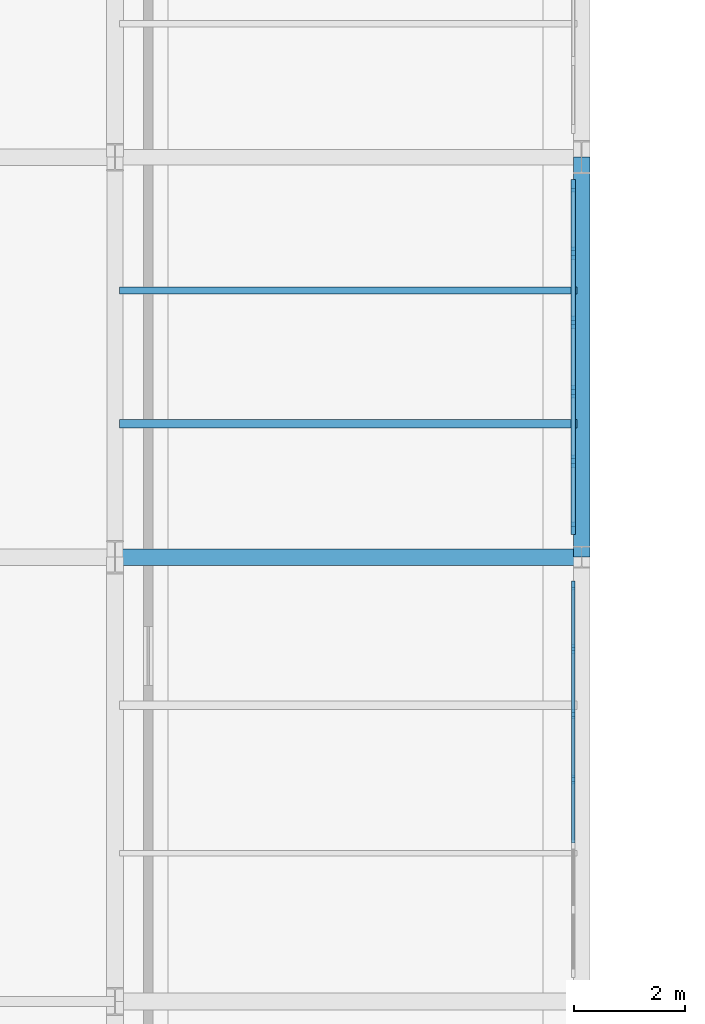
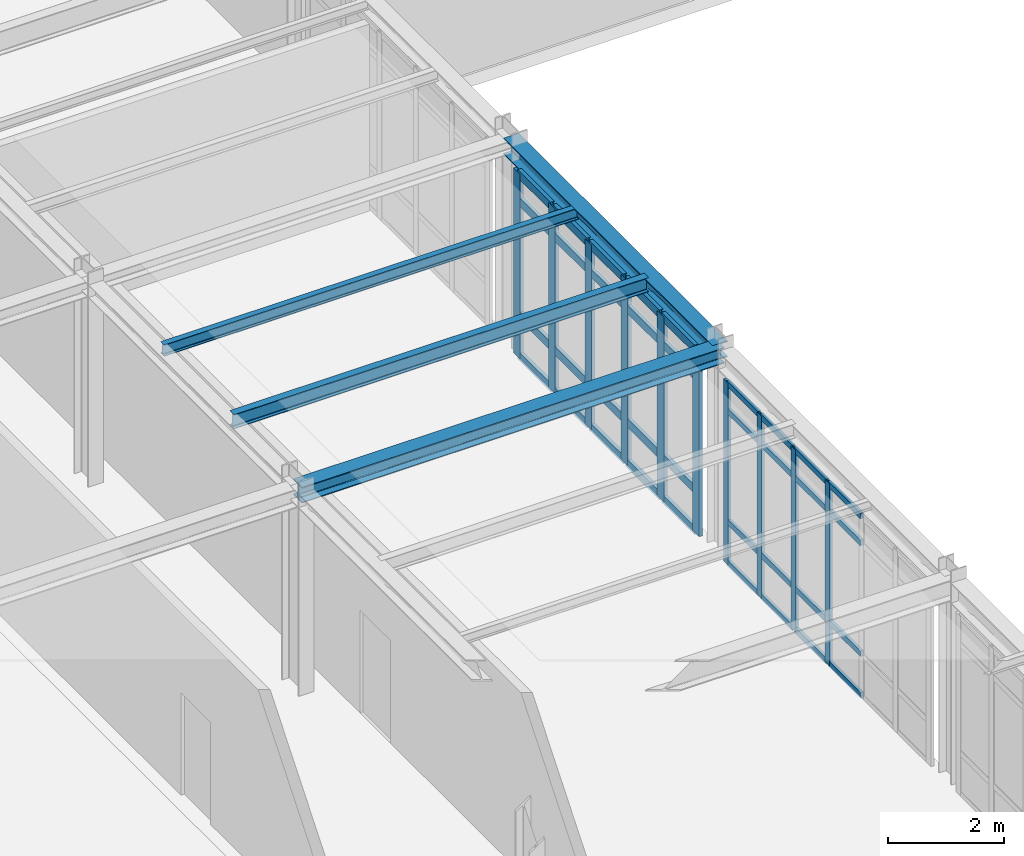
# One storey, part 39 of 101: 46 members, 4 beams, 2 elements without a shape of their own.
"""IFC4 building model written with IfcOpenShell, lengths in metres."""

import ifcopenshell
import ifcopenshell.guid

model = None  # the IFC model being written
_history = None  # IfcOwnerHistory: only IFC2X3 demands one
_inside = {}  # id of a spatial element -> (the spatial element, [elements in it])
_under = {}  # id of a project, library or spatial element -> (it, [spatial elements below it])
_declared = {}  # id of a project -> (the project, [libraries it declares])
_typed = {}  # id of a type object -> (the type object, [elements of that type])
_made_of = {}  # id of a material, layer set ... -> (it, [elements and type objects made of it])


def new_model(schema):
    """Start an empty IFC model of exactly this schema.

    Asked for "IFC4X3", IfcOpenShell would pick the latest addendum, in which some entities
    have other attributes; the version numbers below select the first issue.
    IFC2X3 requires an IfcOwnerHistory on every rooted entity: one is made here for all.
    """
    global model, _history
    if schema == "IFC4X3":
        model = ifcopenshell.file(schema_version=(4, 3, 0, 0))
    else:
        model = ifcopenshell.file(schema=schema)
    _inside.clear()
    _under.clear()
    _declared.clear()
    _typed.clear()
    _made_of.clear()
    _history = None
    if model.schema == "IFC2X3":
        org = make("IfcOrganization", Name="unknown")
        user = make(
            "IfcPersonAndOrganization",
            ThePerson=make("IfcPerson", FamilyName="unknown"),
            TheOrganization=org,
        )
        app = make(
            "IfcApplication",
            ApplicationDeveloper=org,
            Version="unknown",
            ApplicationFullName="unknown",
            ApplicationIdentifier="unknown",
        )
        _history = make(
            "IfcOwnerHistory",
            OwningUser=user,
            OwningApplication=app,
            ChangeAction="ADDED",
            CreationDate=0,
        )
    return model


def make(cls, **values):
    """One entity of the class cls with the attributes given. An attribute that is None is left unset."""
    return model.create_entity(
        cls, **{name: value for name, value in values.items() if value is not None}
    )


def rooted(cls, **values):
    """An entity with a GlobalId (a new one), such as an element, a storey or a relation."""
    return make(cls, GlobalId=ifcopenshell.guid.new(), OwnerHistory=_history, **values)


def si_unit(unit_type, name, prefix=None):
    """IfcSIUnit, for example si_unit("LENGTHUNIT", "METRE", prefix="MILLI")."""
    return make("IfcSIUnit", UnitType=unit_type, Prefix=prefix, Name=name)


def derived_unit(unit_type, elements):
    """IfcDerivedUnit: a product of units, each with its exponent."""
    return make(
        "IfcDerivedUnit",
        Elements=[
            make("IfcDerivedUnitElement", Unit=unit, Exponent=power)
            for unit, power in elements
        ],
        UnitType=unit_type,
    )


def assignment(units):
    """IfcUnitAssignment: the units of a project."""
    return None if units is None else make("IfcUnitAssignment", Units=units)


def point(xyz):
    """IfcCartesianPoint."""
    return None if xyz is None else make("IfcCartesianPoint", Coordinates=xyz)


def direction(xyz):
    """IfcDirection."""
    return None if xyz is None else make("IfcDirection", DirectionRatios=xyz)


def frame(location, z_axis=None, x_axis=None):
    """IfcAxis2Placement3D, a coordinate frame: its origin and axes. An axis left out is left unset."""
    return make(
        "IfcAxis2Placement3D",
        Location=point(location),
        Axis=direction(z_axis),
        RefDirection=direction(x_axis),
    )


def frame_2d(location, x_axis=None):
    """IfcAxis2Placement2D, a coordinate frame in the plane: its origin and x axis."""
    return make(
        "IfcAxis2Placement2D", Location=point(location), RefDirection=direction(x_axis)
    )


def origin():
    """The frame at (0, 0, 0) with its axes left unset."""
    return frame((0.0, 0.0, 0.0))


def origin_2d():
    """The frame at (0, 0) in the plane with its x axis left unset."""
    return frame_2d((0.0, 0.0))


def place(relative_to, where):
    """IfcLocalPlacement: puts the frame where relative to a parent placement (None: the world)."""
    return make(
        "IfcLocalPlacement", PlacementRelTo=relative_to, RelativePlacement=where
    )


def context(
    kind, dimensions, precision=None, world=None, true_north=None, identifier=None
):
    """IfcGeometricRepresentationContext, for example the 3D "Model" context."""
    return make(
        "IfcGeometricRepresentationContext",
        ContextIdentifier=identifier,
        ContextType=kind,
        CoordinateSpaceDimension=dimensions,
        Precision=precision,
        WorldCoordinateSystem=world,
        TrueNorth=true_north,
    )


def subcontext(parent, identifier, kind, view, scale=None):
    """IfcGeometricRepresentationSubContext, for example "Body" below "Model"."""
    return make(
        "IfcGeometricRepresentationSubContext",
        ContextIdentifier=identifier,
        ContextType=kind,
        ParentContext=parent,
        TargetScale=scale,
        TargetView=view,
    )


def project(units=None, contexts=None):
    """IfcProject with its units and contexts."""
    return rooted(
        "IfcProject",
        Name="project",
        RepresentationContexts=contexts,
        UnitsInContext=assignment(units),
    )


def spatial(cls, under=None, at=None, **own):
    """A site, building, storey or space (cls), placed at a placement, below another one or the project."""
    s = rooted(cls, ObjectPlacement=at, **own)
    if under is not None:
        _under.setdefault(under.id(), (under, []))[1].append(s)
    return s


def profile(cls, at=None, kind="AREA", **sizes):
    """A parametric profile (cls). Its sizes go by their IFC names, for example OverallWidth=200.0."""
    return make(cls, ProfileType=kind, Position=at, **sizes)


def rectangle(**sizes):
    """IfcRectangleProfileDef."""
    return profile("IfcRectangleProfileDef", **sizes)


def i_section(**sizes):
    """IfcIShapeProfileDef."""
    return profile("IfcIShapeProfileDef", **sizes)


def extrude(swept, where, along, depth):
    """IfcExtrudedAreaSolid: the profile swept, set in the frame where, extruded along a direction by depth."""
    return make(
        "IfcExtrudedAreaSolid",
        SweptArea=swept,
        Position=where,
        ExtrudedDirection=direction(along),
        Depth=depth,
    )


def shape(context_of_items, identifier, shape_type, items):
    """IfcShapeRepresentation: the items that make up one representation, for example the "Body"."""
    return make(
        "IfcShapeRepresentation",
        ContextOfItems=context_of_items,
        RepresentationIdentifier=identifier,
        RepresentationType=shape_type,
        Items=items,
    )


def material(Name=None, Category=None):
    """IfcMaterial."""
    return make("IfcMaterial", Name=Name, Category=Category)


def layer(
    of_material, thickness, ventilated=None, Name=None, Category=None, Priority=None
):
    """IfcMaterialLayer: one layer of a wall or slab, of a material (None: an air gap)."""
    return make(
        "IfcMaterialLayer",
        Material=of_material,
        LayerThickness=thickness,
        IsVentilated=ventilated,
        Name=Name,
        Category=Category,
        Priority=Priority,
    )


def layer_set(layers, Name=None):
    """IfcMaterialLayerSet."""
    return make("IfcMaterialLayerSet", MaterialLayers=layers, LayerSetName=Name)


def material_profile(
    of_material, cross_section, Name=None, Category=None, Priority=None
):
    """IfcMaterialProfile: a cross section and its material."""
    return make(
        "IfcMaterialProfile",
        Name=Name,
        Material=of_material,
        Profile=cross_section,
        Priority=Priority,
        Category=Category,
    )


def profile_set(profiles, Name=None, composite=None):
    """IfcMaterialProfileSet."""
    return make(
        "IfcMaterialProfileSet",
        Name=Name,
        MaterialProfiles=profiles,
        CompositeProfile=composite,
    )


def made_of(thing, what):
    """Note that an element or type object is made of a material, layer set ...; save() writes the relation."""
    if what is not None:
        _made_of.setdefault(what.id(), (what, []))[1].append(thing)
    return thing


def type_object(cls, material=None, **own):
    """A type object (cls), such as IfcWallType, which elements share."""
    return made_of(rooted(cls, **own), material)


def element(
    cls,
    number,
    at=None,
    inside=None,
    cuts=None,
    type_object=None,
    material=None,
    context=None,
    identifier="Body",
    shape_type=None,
    held_by="IfcProductDefinitionShape",
    body=None,
    shapes=None,
    **own,
):
    """One element of the class cls, such as IfcWall. Its Tag is "e" and its number.

    at: its placement. inside: the storey or other place that contains it. cuts: it is an
    opening in that element (IfcRelVoidsElement). A single representation is given by context,
    identifier, shape_type and body (its items); several are given by shapes. held_by: the class
    of the entity that holds the representations. save() writes the other relations.
    """
    e = rooted(cls, Tag="e%d" % number, ObjectPlacement=at, **own)
    if body is not None:
        shapes = [shape(context, identifier, shape_type, body)]
    if shapes is not None:
        e.Representation = make(held_by, Representations=shapes)
    if inside is not None:
        _inside.setdefault(inside.id(), (inside, []))[1].append(e)
    if cuts is not None:
        rooted(
            "IfcRelVoidsElement", RelatingBuildingElement=cuts, RelatedOpeningElement=e
        )
    if type_object is not None:
        _typed.setdefault(type_object.id(), (type_object, []))[1].append(e)
    return made_of(e, material)


def aggregate(whole, parts):
    """IfcRelAggregates: a whole, such as a stair, and the parts it consists of."""
    return rooted("IfcRelAggregates", RelatingObject=whole, RelatedObjects=parts)


def save(model, path):
    """Write the relations noted so far, then the file.

    IfcRelAggregates (storeys below a building ...), IfcRelContainedInSpatialStructure (elements
    in a storey), IfcRelDefinesByType, IfcRelAssociatesMaterial and IfcRelDeclares: one each for
    every whole, place, type object, material and project.
    """
    for whole, parts in _under.values():
        aggregate(whole, parts)
    for where, things in _inside.values():
        rooted(
            "IfcRelContainedInSpatialStructure",
            RelatedElements=things,
            RelatingStructure=where,
        )
    for kind, things in _typed.values():
        rooted("IfcRelDefinesByType", RelatedObjects=things, RelatingType=kind)
    for what, things in _made_of.values():
        rooted("IfcRelAssociatesMaterial", RelatedObjects=things, RelatingMaterial=what)
    for by, libraries in _declared.values():
        rooted("IfcRelDeclares", RelatingContext=by, RelatedDefinitions=libraries)
    model.write(path)


model = new_model("IFC4")

# Units and contexts
model_context = context("Model", 3, precision=1e-05, world=origin(), true_north=direction((0.0, 1.0)))
body_context = subcontext(model_context, "Body", "Model", "MODEL_VIEW")
ifc_project = project(units=[si_unit("LENGTHUNIT", "METRE"), si_unit("AREAUNIT", "SQUARE_METRE"), si_unit("VOLUMEUNIT", "CUBIC_METRE"), si_unit("PLANEANGLEUNIT", "RADIAN"), si_unit("MASSUNIT", "GRAM", prefix="KILO"), derived_unit("THERMALTRANSMITTANCEUNIT", [(si_unit("POWERUNIT", "WATT"), 1), (si_unit("AREAUNIT", "SQUARE_METRE"), -1), (si_unit("THERMODYNAMICTEMPERATUREUNIT", "KELVIN"), -1)])], contexts=[model_context])

# Site, building, storey
site_placement = place(None, origin())
site = spatial("IfcSite", under=ifc_project, at=site_placement, CompositionType="ELEMENT")
building_placement = place(site_placement, origin())
building = spatial("IfcBuilding", under=site, at=building_placement, Name="Yasenodar Specialist Clinic", CompositionType="ELEMENT")
storey_placement = place(building_placement, origin())
storey = spatial("IfcBuildingStorey", under=building, at=storey_placement, Name="L00", CompositionType="ELEMENT", Elevation=0.0)

# Beams
ifc_material_1 = material(Name="Steel S355", Category="steel")
ifc_material_profile_1 = material_profile(ifc_material_1, i_section(OverallWidth=0.300048828125, OverallDepth=0.330078125, WebThickness=0.009521484375, FlangeThickness=0.0166015625, FilletRadius=0.027099609375, at=origin_2d()), Name="HEA 340")
ifc_profile_set_1 = profile_set([ifc_material_profile_1], Name="Steel S355")
beam_type_1 = type_object("IfcBeamType", Name="BM-HEA340", PredefinedType="BEAM", material=ifc_profile_set_1)
beam_1_placement = place(storey_placement, frame((8.39990234375, 82.800048828125, 4.0849609375), z_axis=(1.0, 0.0, 0.0), x_axis=(0.0, 1.0, 0.0)))
element("IfcBeam", 1, at=beam_1_placement, inside=storey, type_object=beam_type_1, Name="L00 Primary E-W Girder", PredefinedType="BEAM", context=body_context, shape_type="SweptSolid", body=[
    extrude(i_section(OverallWidth=0.300048828125, OverallDepth=0.330078125, WebThickness=0.009521484375, FlangeThickness=0.0166015625, FilletRadius=0.027099609375, at=origin_2d()), origin(), (0.0, 0.0, 1.0), 8.400146484375),
])
ifc_material_profile_2 = material_profile(ifc_material_1, i_section(OverallWidth=0.300048828125, OverallDepth=0.340087890625, WebThickness=0.011962890625, FlangeThickness=0.021484375, FilletRadius=0.027099609375, at=origin_2d()), Name="HEB 340")
ifc_profile_set_2 = profile_set([ifc_material_profile_2], Name="Steel S355")
beam_type_2 = type_object("IfcBeamType", Name="BM-HEB340", PredefinedType="BEAM", material=ifc_profile_set_2)
beam_2_placement = place(storey_placement, frame((16.800048828125, 82.800048828125, 4.080078125), z_axis=(0.0, 1.0, 0.0), x_axis=(-1.0, 0.0, 0.0)))
element("IfcBeam", 2, at=beam_2_placement, inside=storey, type_object=beam_type_2, Name="L00 Primary N-S Girder", PredefinedType="BEAM", context=body_context, shape_type="SweptSolid", body=[
    extrude(i_section(OverallWidth=0.300048828125, OverallDepth=0.340087890625, WebThickness=0.011962890625, FlangeThickness=0.021484375, FilletRadius=0.027099609375, at=origin_2d()), origin(), (0.0, 0.0, 1.0), 7.199951171875),
])

# Curtain wall, members
ifc_material_2 = material(Name="Bronze Anodized Aluminium and Triple Low-E Glass", Category="aluminium")
ifc_layer = layer(ifc_material_2, 0.202880859375)
ifc_layer_set = layer_set([ifc_layer], Name="Bronze Anodized Aluminium and Triple Low-E Glass")
curtain_wall_type = type_object("IfcCurtainWallType", Name="CW-SYS-04", PredefinedType="USERDEFINED", material=ifc_layer_set)
curtain_wall_1_placement = place(storey_placement, origin())
curtain_wall_1 = element("IfcCurtainWall", 3, at=curtain_wall_1_placement, inside=storey, type_object=curtain_wall_type, Name="L00 Unitised Curtain Wall 116", ObjectType="UNITISED CURTAIN WALL", PredefinedType="USERDEFINED")
ifc_material_3 = material(Name="Bronze Anodized Aluminium", Category="aluminium")
ifc_material_profile_3 = material_profile(ifc_material_3, rectangle(XDim=0.06005859375, YDim=0.159912109375, at=origin_2d()), Name="CW-MULL 60x160")
ifc_profile_set_3 = profile_set([ifc_material_profile_3], Name="Bronze Anodized Aluminium")
member_type_1 = type_object("IfcMemberType", Name="CW-MULL-160", PredefinedType="MULLION", material=ifc_profile_set_3)
member_1_placement = place(storey_placement, frame((16.64990234375, 82.2900390625, 0.0), z_axis=(0.0, 0.0, 1.0), x_axis=(1.0, 0.0, 0.0)))
member_1 = element("IfcMember", 4, at=member_1_placement, type_object=member_type_1, Name="CW-04 mullion 1", PredefinedType="MULLION", context=body_context, shape_type="SweptSolid", body=[
    extrude(rectangle(XDim=0.06005859375, YDim=0.159912109375, at=origin_2d()), origin(), (0.0, 0.0, 1.0), 3.827880859375),
])
member_2_placement = place(storey_placement, frame((16.64990234375, 81.146728515625, 0.0), z_axis=(0.0, 0.0, 1.0), x_axis=(1.0, 0.0, 0.0)))
member_2 = element("IfcMember", 5, at=member_2_placement, type_object=member_type_1, Name="CW-04 mullion 2", PredefinedType="MULLION", context=body_context, shape_type="SweptSolid", body=[
    extrude(rectangle(XDim=0.06005859375, YDim=0.159912109375, at=origin_2d()), origin(), (0.0, 0.0, 1.0), 3.827880859375),
])
member_3_placement = place(storey_placement, frame((16.64990234375, 79.973388671875, 0.0), z_axis=(0.0, 0.0, 1.0), x_axis=(1.0, 0.0, 0.0)))
member_3 = element("IfcMember", 6, at=member_3_placement, type_object=member_type_1, Name="CW-04 mullion 3", PredefinedType="MULLION", context=body_context, shape_type="SweptSolid", body=[
    extrude(rectangle(XDim=0.06005859375, YDim=0.159912109375, at=origin_2d()), origin(), (0.0, 0.0, 1.0), 3.827880859375),
])
member_4_placement = place(storey_placement, frame((16.64990234375, 78.800048828125, 0.0), z_axis=(0.0, 0.0, 1.0), x_axis=(1.0, 0.0, 0.0)))
member_4 = element("IfcMember", 7, at=member_4_placement, type_object=member_type_1, Name="CW-04 mullion 4", PredefinedType="MULLION", context=body_context, shape_type="SweptSolid", body=[
    extrude(rectangle(XDim=0.06005859375, YDim=0.159912109375, at=origin_2d()), origin(), (0.0, 0.0, 1.0), 3.827880859375),
])

curtain_wall_2_placement = place(storey_placement, origin())
curtain_wall_2 = element("IfcCurtainWall", 8, at=curtain_wall_2_placement, inside=storey, type_object=curtain_wall_type, Name="L00 Unitised Curtain Wall 115", ObjectType="UNITISED CURTAIN WALL", PredefinedType="USERDEFINED")
ifc_material_profile_4 = material_profile(ifc_material_3, rectangle(XDim=0.074951171875, YDim=0.22509765625, at=origin_2d()), Name="CW-MULL 75x225")
ifc_profile_set_4 = profile_set([ifc_material_profile_4], Name="Bronze Anodized Aluminium")
member_type_2 = type_object("IfcMemberType", Name="CW-MULL-225", PredefinedType="MULLION", material=ifc_profile_set_4)
member_5_placement = place(storey_placement, frame((16.64990234375, 89.482421875, 0.0), z_axis=(0.0, 0.0, 1.0), x_axis=(1.0, 0.0, 0.0)))
member_5 = element("IfcMember", 9, at=member_5_placement, type_object=member_type_2, Name="CW-04 mullion 1", PredefinedType="MULLION", context=body_context, shape_type="SweptSolid", body=[
    extrude(rectangle(XDim=0.074951171875, YDim=0.22509765625, at=origin_2d()), origin(), (0.0, 0.0, 1.0), 3.887939453125),
])
member_6_placement = place(storey_placement, frame((16.64990234375, 88.27197265625, 0.0), z_axis=(0.0, 0.0, 1.0), x_axis=(1.0, 0.0, 0.0)))
member_6 = element("IfcMember", 10, at=member_6_placement, type_object=member_type_2, Name="CW-04 mullion 2", PredefinedType="MULLION", context=body_context, shape_type="SweptSolid", body=[
    extrude(rectangle(XDim=0.074951171875, YDim=0.22509765625, at=origin_2d()), origin(), (0.0, 0.0, 1.0), 3.887939453125),
])
member_7_placement = place(storey_placement, frame((16.64990234375, 87.02392578125, 0.0), z_axis=(0.0, 0.0, 1.0), x_axis=(1.0, 0.0, 0.0)))
member_7 = element("IfcMember", 11, at=member_7_placement, type_object=member_type_2, Name="CW-04 mullion 3", PredefinedType="MULLION", context=body_context, shape_type="SweptSolid", body=[
    extrude(rectangle(XDim=0.074951171875, YDim=0.22509765625, at=origin_2d()), origin(), (0.0, 0.0, 1.0), 3.887939453125),
])
member_8_placement = place(storey_placement, frame((16.64990234375, 85.77587890625, 0.0), z_axis=(0.0, 0.0, 1.0), x_axis=(1.0, 0.0, 0.0)))
member_8 = element("IfcMember", 12, at=member_8_placement, type_object=member_type_2, Name="CW-04 mullion 4", PredefinedType="MULLION", context=body_context, shape_type="SweptSolid", body=[
    extrude(rectangle(XDim=0.074951171875, YDim=0.22509765625, at=origin_2d()), origin(), (0.0, 0.0, 1.0), 3.887939453125),
])
member_9_placement = place(storey_placement, frame((16.64990234375, 84.528076171875, 0.0), z_axis=(0.0, 0.0, 1.0), x_axis=(1.0, 0.0, 0.0)))
member_9 = element("IfcMember", 13, at=member_9_placement, type_object=member_type_2, Name="CW-04 mullion 5", PredefinedType="MULLION", context=body_context, shape_type="SweptSolid", body=[
    extrude(rectangle(XDim=0.074951171875, YDim=0.22509765625, at=origin_2d()), origin(), (0.0, 0.0, 1.0), 3.887939453125),
])
member_10_placement = place(storey_placement, frame((16.64990234375, 83.3173828125, 0.0), z_axis=(0.0, 0.0, 1.0), x_axis=(1.0, 0.0, 0.0)))
member_10 = element("IfcMember", 14, at=member_10_placement, type_object=member_type_2, Name="CW-04 mullion 6", PredefinedType="MULLION", context=body_context, shape_type="SweptSolid", body=[
    extrude(rectangle(XDim=0.074951171875, YDim=0.22509765625, at=origin_2d()), origin(), (0.0, 0.0, 1.0), 3.887939453125),
])

# Member
ifc_material_profile_5 = material_profile(ifc_material_3, rectangle(XDim=0.06005859375, YDim=0.1201171875, at=origin_2d()), Name="CW-TRAN 60x120")
ifc_profile_set_5 = profile_set([ifc_material_profile_5], Name="Bronze Anodized Aluminium")
member_type_3 = type_object("IfcMemberType", Name="CW-TRAN-120", PredefinedType="USERDEFINED", material=ifc_profile_set_5)
member_11_placement = place(storey_placement, frame((16.64990234375, 82.260009765625, 0.030029296875), z_axis=(0.0, -1.0, 0.0), x_axis=(1.0, 0.0, 0.0)))
member_11 = element("IfcMember", 15, at=member_11_placement, type_object=member_type_3, Name="CW-04 transom 1.1", ObjectType="TRANSOM", PredefinedType="USERDEFINED", context=body_context, shape_type="SweptSolid", body=[
    extrude(rectangle(XDim=0.06005859375, YDim=0.1201171875, at=origin_2d()), origin(), (0.0, 0.0, 1.0), 1.083251953125),
])

member_12_placement = place(storey_placement, frame((16.64990234375, 82.260009765625, 0.89990234375), z_axis=(0.0, -1.0, 0.0), x_axis=(1.0, 0.0, 0.0)))
member_12 = element("IfcMember", 16, at=member_12_placement, type_object=member_type_3, Name="CW-04 transom 1.2", ObjectType="TRANSOM", PredefinedType="USERDEFINED", context=body_context, shape_type="SweptSolid", body=[
    extrude(rectangle(XDim=0.06005859375, YDim=0.1201171875, at=origin_2d()), origin(), (0.0, 0.0, 1.0), 1.083251953125),
])

member_13_placement = place(storey_placement, frame((16.64990234375, 82.260009765625, 3.22802734375), z_axis=(0.0, -1.0, 0.0), x_axis=(1.0, 0.0, 0.0)))
member_13 = element("IfcMember", 17, at=member_13_placement, type_object=member_type_3, Name="CW-04 transom 1.3", ObjectType="TRANSOM", PredefinedType="USERDEFINED", context=body_context, shape_type="SweptSolid", body=[
    extrude(rectangle(XDim=0.06005859375, YDim=0.1201171875, at=origin_2d()), origin(), (0.0, 0.0, 1.0), 1.083251953125),
])

member_14_placement = place(storey_placement, frame((16.64990234375, 82.260009765625, 3.798095703125), z_axis=(0.0, -1.0, 0.0), x_axis=(1.0, 0.0, 0.0)))
member_14 = element("IfcMember", 18, at=member_14_placement, type_object=member_type_3, Name="CW-04 transom 1.4", ObjectType="TRANSOM", PredefinedType="USERDEFINED", context=body_context, shape_type="SweptSolid", body=[
    extrude(rectangle(XDim=0.06005859375, YDim=0.1201171875, at=origin_2d()), origin(), (0.0, 0.0, 1.0), 1.083251953125),
])

member_15_placement = place(storey_placement, frame((16.64990234375, 81.11669921875, 0.030029296875), z_axis=(0.0, -1.0, 0.0), x_axis=(1.0, 0.0, 0.0)))
member_15 = element("IfcMember", 19, at=member_15_placement, type_object=member_type_3, Name="CW-04 transom 2.1", ObjectType="TRANSOM", PredefinedType="USERDEFINED", context=body_context, shape_type="SweptSolid", body=[
    extrude(rectangle(XDim=0.06005859375, YDim=0.1201171875, at=origin_2d()), origin(), (0.0, 0.0, 1.0), 1.11328125),
])

member_16_placement = place(storey_placement, frame((16.64990234375, 81.11669921875, 0.89990234375), z_axis=(0.0, -1.0, 0.0), x_axis=(1.0, 0.0, 0.0)))
member_16 = element("IfcMember", 20, at=member_16_placement, type_object=member_type_3, Name="CW-04 transom 2.2", ObjectType="TRANSOM", PredefinedType="USERDEFINED", context=body_context, shape_type="SweptSolid", body=[
    extrude(rectangle(XDim=0.06005859375, YDim=0.1201171875, at=origin_2d()), origin(), (0.0, 0.0, 1.0), 1.11328125),
])

member_17_placement = place(storey_placement, frame((16.64990234375, 81.11669921875, 3.22802734375), z_axis=(0.0, -1.0, 0.0), x_axis=(1.0, 0.0, 0.0)))
member_17 = element("IfcMember", 21, at=member_17_placement, type_object=member_type_3, Name="CW-04 transom 2.3", ObjectType="TRANSOM", PredefinedType="USERDEFINED", context=body_context, shape_type="SweptSolid", body=[
    extrude(rectangle(XDim=0.06005859375, YDim=0.1201171875, at=origin_2d()), origin(), (0.0, 0.0, 1.0), 1.11328125),
])

member_18_placement = place(storey_placement, frame((16.64990234375, 81.11669921875, 3.798095703125), z_axis=(0.0, -1.0, 0.0), x_axis=(1.0, 0.0, 0.0)))
member_18 = element("IfcMember", 22, at=member_18_placement, type_object=member_type_3, Name="CW-04 transom 2.4", ObjectType="TRANSOM", PredefinedType="USERDEFINED", context=body_context, shape_type="SweptSolid", body=[
    extrude(rectangle(XDim=0.06005859375, YDim=0.1201171875, at=origin_2d()), origin(), (0.0, 0.0, 1.0), 1.11328125),
])

member_19_placement = place(storey_placement, frame((16.64990234375, 79.943359375, 0.030029296875), z_axis=(0.0, -1.0, 0.0), x_axis=(1.0, 0.0, 0.0)))
member_19 = element("IfcMember", 23, at=member_19_placement, type_object=member_type_3, Name="CW-04 transom 3.1", ObjectType="TRANSOM", PredefinedType="USERDEFINED", context=body_context, shape_type="SweptSolid", body=[
    extrude(rectangle(XDim=0.06005859375, YDim=0.1201171875, at=origin_2d()), origin(), (0.0, 0.0, 1.0), 1.11328125),
])

member_20_placement = place(storey_placement, frame((16.64990234375, 79.943359375, 0.89990234375), z_axis=(0.0, -1.0, 0.0), x_axis=(1.0, 0.0, 0.0)))
member_20 = element("IfcMember", 24, at=member_20_placement, type_object=member_type_3, Name="CW-04 transom 3.2", ObjectType="TRANSOM", PredefinedType="USERDEFINED", context=body_context, shape_type="SweptSolid", body=[
    extrude(rectangle(XDim=0.06005859375, YDim=0.1201171875, at=origin_2d()), origin(), (0.0, 0.0, 1.0), 1.11328125),
])

member_21_placement = place(storey_placement, frame((16.64990234375, 79.943359375, 3.22802734375), z_axis=(0.0, -1.0, 0.0), x_axis=(1.0, 0.0, 0.0)))
member_21 = element("IfcMember", 25, at=member_21_placement, type_object=member_type_3, Name="CW-04 transom 3.3", ObjectType="TRANSOM", PredefinedType="USERDEFINED", context=body_context, shape_type="SweptSolid", body=[
    extrude(rectangle(XDim=0.06005859375, YDim=0.1201171875, at=origin_2d()), origin(), (0.0, 0.0, 1.0), 1.11328125),
])

member_22_placement = place(storey_placement, frame((16.64990234375, 79.943359375, 3.798095703125), z_axis=(0.0, -1.0, 0.0), x_axis=(1.0, 0.0, 0.0)))
member_22 = element("IfcMember", 26, at=member_22_placement, type_object=member_type_3, Name="CW-04 transom 3.4", ObjectType="TRANSOM", PredefinedType="USERDEFINED", context=body_context, shape_type="SweptSolid", body=[
    extrude(rectangle(XDim=0.06005859375, YDim=0.1201171875, at=origin_2d()), origin(), (0.0, 0.0, 1.0), 1.11328125),
])

member_23_placement = place(storey_placement, frame((16.64990234375, 78.77001953125, 0.030029296875), z_axis=(0.0, -1.0, 0.0), x_axis=(1.0, 0.0, 0.0)))
member_23 = element("IfcMember", 27, at=member_23_placement, type_object=member_type_3, Name="CW-04 transom 4.1", ObjectType="TRANSOM", PredefinedType="USERDEFINED", context=body_context, shape_type="SweptSolid", body=[
    extrude(rectangle(XDim=0.06005859375, YDim=0.1201171875, at=origin_2d()), origin(), (0.0, 0.0, 1.0), 1.11328125),
])

member_24_placement = place(storey_placement, frame((16.64990234375, 78.77001953125, 0.89990234375), z_axis=(0.0, -1.0, 0.0), x_axis=(1.0, 0.0, 0.0)))
member_24 = element("IfcMember", 28, at=member_24_placement, type_object=member_type_3, Name="CW-04 transom 4.2", ObjectType="TRANSOM", PredefinedType="USERDEFINED", context=body_context, shape_type="SweptSolid", body=[
    extrude(rectangle(XDim=0.06005859375, YDim=0.1201171875, at=origin_2d()), origin(), (0.0, 0.0, 1.0), 1.11328125),
])

member_25_placement = place(storey_placement, frame((16.64990234375, 78.77001953125, 3.22802734375), z_axis=(0.0, -1.0, 0.0), x_axis=(1.0, 0.0, 0.0)))
member_25 = element("IfcMember", 29, at=member_25_placement, type_object=member_type_3, Name="CW-04 transom 4.3", ObjectType="TRANSOM", PredefinedType="USERDEFINED", context=body_context, shape_type="SweptSolid", body=[
    extrude(rectangle(XDim=0.06005859375, YDim=0.1201171875, at=origin_2d()), origin(), (0.0, 0.0, 1.0), 1.11328125),
])

member_26_placement = place(storey_placement, frame((16.64990234375, 78.77001953125, 3.798095703125), z_axis=(0.0, -1.0, 0.0), x_axis=(1.0, 0.0, 0.0)))
member_26 = element("IfcMember", 30, at=member_26_placement, type_object=member_type_3, Name="CW-04 transom 4.4", ObjectType="TRANSOM", PredefinedType="USERDEFINED", context=body_context, shape_type="SweptSolid", body=[
    extrude(rectangle(XDim=0.06005859375, YDim=0.1201171875, at=origin_2d()), origin(), (0.0, 0.0, 1.0), 1.11328125),
])

aggregate(curtain_wall_1, [member_1, member_2, member_3, member_4, member_11, member_12, member_13, member_14, member_15, member_16, member_17, member_18, member_19, member_20, member_21, member_22, member_23, member_24, member_25, member_26])

ifc_material_profile_6 = material_profile(ifc_material_3, rectangle(XDim=0.074951171875, YDim=0.175048828125, at=origin_2d()), Name="CW-TRAN 75x175")
ifc_profile_set_6 = profile_set([ifc_material_profile_6], Name="Bronze Anodized Aluminium")
member_type_4 = type_object("IfcMemberType", Name="CW-TRAN-175", PredefinedType="USERDEFINED", material=ifc_profile_set_6)
member_27_placement = place(storey_placement, frame((16.64990234375, 89.445068359375, 0.03759765625), z_axis=(0.0, -1.0, 0.0), x_axis=(1.0, 0.0, 0.0)))
member_27 = element("IfcMember", 31, at=member_27_placement, type_object=member_type_4, Name="CW-04 transom 1.1", ObjectType="TRANSOM", PredefinedType="USERDEFINED", context=body_context, shape_type="SweptSolid", body=[
    extrude(rectangle(XDim=0.074951171875, YDim=0.175048828125, at=origin_2d()), origin(), (0.0, 0.0, 1.0), 1.135498046875),
])

member_28_placement = place(storey_placement, frame((16.64990234375, 89.445068359375, 0.89990234375), z_axis=(0.0, -1.0, 0.0), x_axis=(1.0, 0.0, 0.0)))
member_28 = element("IfcMember", 32, at=member_28_placement, type_object=member_type_4, Name="CW-04 transom 1.2", ObjectType="TRANSOM", PredefinedType="USERDEFINED", context=body_context, shape_type="SweptSolid", body=[
    extrude(rectangle(XDim=0.074951171875, YDim=0.175048828125, at=origin_2d()), origin(), (0.0, 0.0, 1.0), 1.135498046875),
])

member_29_placement = place(storey_placement, frame((16.64990234375, 89.445068359375, 3.2880859375), z_axis=(0.0, -1.0, 0.0), x_axis=(1.0, 0.0, 0.0)))
member_29 = element("IfcMember", 33, at=member_29_placement, type_object=member_type_4, Name="CW-04 transom 1.3", ObjectType="TRANSOM", PredefinedType="USERDEFINED", context=body_context, shape_type="SweptSolid", body=[
    extrude(rectangle(XDim=0.074951171875, YDim=0.175048828125, at=origin_2d()), origin(), (0.0, 0.0, 1.0), 1.135498046875),
])

member_30_placement = place(storey_placement, frame((16.64990234375, 89.445068359375, 3.8505859375), z_axis=(0.0, -1.0, 0.0), x_axis=(1.0, 0.0, 0.0)))
member_30 = element("IfcMember", 34, at=member_30_placement, type_object=member_type_4, Name="CW-04 transom 1.4", ObjectType="TRANSOM", PredefinedType="USERDEFINED", context=body_context, shape_type="SweptSolid", body=[
    extrude(rectangle(XDim=0.074951171875, YDim=0.175048828125, at=origin_2d()), origin(), (0.0, 0.0, 1.0), 1.135498046875),
])

member_31_placement = place(storey_placement, frame((16.64990234375, 88.234619140625, 0.03759765625), z_axis=(0.0, -1.0, 0.0), x_axis=(1.0, 0.0, 0.0)))
member_31 = element("IfcMember", 35, at=member_31_placement, type_object=member_type_4, Name="CW-04 transom 2.1", ObjectType="TRANSOM", PredefinedType="USERDEFINED", context=body_context, shape_type="SweptSolid", body=[
    extrude(rectangle(XDim=0.074951171875, YDim=0.175048828125, at=origin_2d()), origin(), (0.0, 0.0, 1.0), 1.173095703125),
])

member_32_placement = place(storey_placement, frame((16.64990234375, 88.234619140625, 0.89990234375), z_axis=(0.0, -1.0, 0.0), x_axis=(1.0, 0.0, 0.0)))
member_32 = element("IfcMember", 36, at=member_32_placement, type_object=member_type_4, Name="CW-04 transom 2.2", ObjectType="TRANSOM", PredefinedType="USERDEFINED", context=body_context, shape_type="SweptSolid", body=[
    extrude(rectangle(XDim=0.074951171875, YDim=0.175048828125, at=origin_2d()), origin(), (0.0, 0.0, 1.0), 1.173095703125),
])

member_33_placement = place(storey_placement, frame((16.64990234375, 88.234619140625, 3.2880859375), z_axis=(0.0, -1.0, 0.0), x_axis=(1.0, 0.0, 0.0)))
member_33 = element("IfcMember", 37, at=member_33_placement, type_object=member_type_4, Name="CW-04 transom 2.3", ObjectType="TRANSOM", PredefinedType="USERDEFINED", context=body_context, shape_type="SweptSolid", body=[
    extrude(rectangle(XDim=0.074951171875, YDim=0.175048828125, at=origin_2d()), origin(), (0.0, 0.0, 1.0), 1.173095703125),
])

member_34_placement = place(storey_placement, frame((16.64990234375, 88.234619140625, 3.8505859375), z_axis=(0.0, -1.0, 0.0), x_axis=(1.0, 0.0, 0.0)))
member_34 = element("IfcMember", 38, at=member_34_placement, type_object=member_type_4, Name="CW-04 transom 2.4", ObjectType="TRANSOM", PredefinedType="USERDEFINED", context=body_context, shape_type="SweptSolid", body=[
    extrude(rectangle(XDim=0.074951171875, YDim=0.175048828125, at=origin_2d()), origin(), (0.0, 0.0, 1.0), 1.173095703125),
])

member_35_placement = place(storey_placement, frame((16.64990234375, 86.986572265625, 0.03759765625), z_axis=(0.0, -1.0, 0.0), x_axis=(1.0, 0.0, 0.0)))
member_35 = element("IfcMember", 39, at=member_35_placement, type_object=member_type_4, Name="CW-04 transom 3.1", ObjectType="TRANSOM", PredefinedType="USERDEFINED", context=body_context, shape_type="SweptSolid", body=[
    extrude(rectangle(XDim=0.074951171875, YDim=0.175048828125, at=origin_2d()), origin(), (0.0, 0.0, 1.0), 1.173095703125),
])

member_36_placement = place(storey_placement, frame((16.64990234375, 86.986572265625, 0.89990234375), z_axis=(0.0, -1.0, 0.0), x_axis=(1.0, 0.0, 0.0)))
member_36 = element("IfcMember", 40, at=member_36_placement, type_object=member_type_4, Name="CW-04 transom 3.2", ObjectType="TRANSOM", PredefinedType="USERDEFINED", context=body_context, shape_type="SweptSolid", body=[
    extrude(rectangle(XDim=0.074951171875, YDim=0.175048828125, at=origin_2d()), origin(), (0.0, 0.0, 1.0), 1.173095703125),
])

member_37_placement = place(storey_placement, frame((16.64990234375, 86.986572265625, 3.2880859375), z_axis=(0.0, -1.0, 0.0), x_axis=(1.0, 0.0, 0.0)))
member_37 = element("IfcMember", 41, at=member_37_placement, type_object=member_type_4, Name="CW-04 transom 3.3", ObjectType="TRANSOM", PredefinedType="USERDEFINED", context=body_context, shape_type="SweptSolid", body=[
    extrude(rectangle(XDim=0.074951171875, YDim=0.175048828125, at=origin_2d()), origin(), (0.0, 0.0, 1.0), 1.173095703125),
])

member_38_placement = place(storey_placement, frame((16.64990234375, 86.986572265625, 3.8505859375), z_axis=(0.0, -1.0, 0.0), x_axis=(1.0, 0.0, 0.0)))
member_38 = element("IfcMember", 42, at=member_38_placement, type_object=member_type_4, Name="CW-04 transom 3.4", ObjectType="TRANSOM", PredefinedType="USERDEFINED", context=body_context, shape_type="SweptSolid", body=[
    extrude(rectangle(XDim=0.074951171875, YDim=0.175048828125, at=origin_2d()), origin(), (0.0, 0.0, 1.0), 1.173095703125),
])

member_39_placement = place(storey_placement, frame((16.64990234375, 85.738525390625, 0.03759765625), z_axis=(0.0, -1.0, 0.0), x_axis=(1.0, 0.0, 0.0)))
member_39 = element("IfcMember", 43, at=member_39_placement, type_object=member_type_4, Name="CW-04 transom 4.1", ObjectType="TRANSOM", PredefinedType="USERDEFINED", context=body_context, shape_type="SweptSolid", body=[
    extrude(rectangle(XDim=0.074951171875, YDim=0.175048828125, at=origin_2d()), origin(), (0.0, 0.0, 1.0), 1.173095703125),
])

member_40_placement = place(storey_placement, frame((16.64990234375, 85.738525390625, 0.89990234375), z_axis=(0.0, -1.0, 0.0), x_axis=(1.0, 0.0, 0.0)))
member_40 = element("IfcMember", 44, at=member_40_placement, type_object=member_type_4, Name="CW-04 transom 4.2", ObjectType="TRANSOM", PredefinedType="USERDEFINED", context=body_context, shape_type="SweptSolid", body=[
    extrude(rectangle(XDim=0.074951171875, YDim=0.175048828125, at=origin_2d()), origin(), (0.0, 0.0, 1.0), 1.173095703125),
])

member_41_placement = place(storey_placement, frame((16.64990234375, 85.738525390625, 3.2880859375), z_axis=(0.0, -1.0, 0.0), x_axis=(1.0, 0.0, 0.0)))
member_41 = element("IfcMember", 45, at=member_41_placement, type_object=member_type_4, Name="CW-04 transom 4.3", ObjectType="TRANSOM", PredefinedType="USERDEFINED", context=body_context, shape_type="SweptSolid", body=[
    extrude(rectangle(XDim=0.074951171875, YDim=0.175048828125, at=origin_2d()), origin(), (0.0, 0.0, 1.0), 1.173095703125),
])

member_42_placement = place(storey_placement, frame((16.64990234375, 85.738525390625, 3.8505859375), z_axis=(0.0, -1.0, 0.0), x_axis=(1.0, 0.0, 0.0)))
member_42 = element("IfcMember", 46, at=member_42_placement, type_object=member_type_4, Name="CW-04 transom 4.4", ObjectType="TRANSOM", PredefinedType="USERDEFINED", context=body_context, shape_type="SweptSolid", body=[
    extrude(rectangle(XDim=0.074951171875, YDim=0.175048828125, at=origin_2d()), origin(), (0.0, 0.0, 1.0), 1.173095703125),
])

member_43_placement = place(storey_placement, frame((16.64990234375, 84.490478515625, 0.03759765625), z_axis=(0.0, -1.0, 0.0), x_axis=(1.0, 0.0, 0.0)))
member_43 = element("IfcMember", 47, at=member_43_placement, type_object=member_type_4, Name="CW-04 transom 5.1", ObjectType="TRANSOM", PredefinedType="USERDEFINED", context=body_context, shape_type="SweptSolid", body=[
    extrude(rectangle(XDim=0.074951171875, YDim=0.175048828125, at=origin_2d()), origin(), (0.0, 0.0, 1.0), 1.135498046875),
])

member_44_placement = place(storey_placement, frame((16.64990234375, 84.490478515625, 0.89990234375), z_axis=(0.0, -1.0, 0.0), x_axis=(1.0, 0.0, 0.0)))
member_44 = element("IfcMember", 48, at=member_44_placement, type_object=member_type_4, Name="CW-04 transom 5.2", ObjectType="TRANSOM", PredefinedType="USERDEFINED", context=body_context, shape_type="SweptSolid", body=[
    extrude(rectangle(XDim=0.074951171875, YDim=0.175048828125, at=origin_2d()), origin(), (0.0, 0.0, 1.0), 1.135498046875),
])

member_45_placement = place(storey_placement, frame((16.64990234375, 84.490478515625, 3.2880859375), z_axis=(0.0, -1.0, 0.0), x_axis=(1.0, 0.0, 0.0)))
member_45 = element("IfcMember", 49, at=member_45_placement, type_object=member_type_4, Name="CW-04 transom 5.3", ObjectType="TRANSOM", PredefinedType="USERDEFINED", context=body_context, shape_type="SweptSolid", body=[
    extrude(rectangle(XDim=0.074951171875, YDim=0.175048828125, at=origin_2d()), origin(), (0.0, 0.0, 1.0), 1.135498046875),
])

member_46_placement = place(storey_placement, frame((16.64990234375, 84.490478515625, 3.8505859375), z_axis=(0.0, -1.0, 0.0), x_axis=(1.0, 0.0, 0.0)))
member_46 = element("IfcMember", 50, at=member_46_placement, type_object=member_type_4, Name="CW-04 transom 5.4", ObjectType="TRANSOM", PredefinedType="USERDEFINED", context=body_context, shape_type="SweptSolid", body=[
    extrude(rectangle(XDim=0.074951171875, YDim=0.175048828125, at=origin_2d()), origin(), (0.0, 0.0, 1.0), 1.135498046875),
])

aggregate(curtain_wall_2, [member_5, member_6, member_7, member_8, member_9, member_10, member_27, member_28, member_29, member_30, member_31, member_32, member_33, member_34, member_35, member_36, member_37, member_38, member_39, member_40, member_41, member_42, member_43, member_44, member_45, member_46])

# Beams
ifc_material_profile_7 = material_profile(ifc_material_1, i_section(OverallWidth=0.1201171875, OverallDepth=0.239990234375, WebThickness=0.006103515625, FlangeThickness=0.009765625, FilletRadius=0.014892578125, at=origin_2d()), Name="IPE 240")
ifc_profile_set_7 = profile_set([ifc_material_profile_7], Name="Steel S355")
beam_type_3 = type_object("IfcBeamType", Name="JS-IPE240", PredefinedType="JOIST", material=ifc_profile_set_7)
beam_3_placement = place(storey_placement, frame((8.47998046875, 87.60009765625, 4.1298828125), z_axis=(1.0, 0.0, 0.0), x_axis=(0.0, 1.0, 0.0)))
element("IfcBeam", 51, at=beam_3_placement, inside=storey, type_object=beam_type_3, Name="L00 Composite Floor Joist", PredefinedType="JOIST", context=body_context, shape_type="SweptSolid", body=[
    extrude(i_section(OverallWidth=0.1201171875, OverallDepth=0.239990234375, WebThickness=0.006103515625, FlangeThickness=0.009765625, FilletRadius=0.014892578125, at=origin_2d()), origin(), (0.0, 0.0, 1.0), 8.239990234375),
])
ifc_material_profile_8 = material_profile(ifc_material_1, i_section(OverallWidth=0.14990234375, OverallDepth=0.300048828125, WebThickness=0.007080078125, FlangeThickness=0.0107421875, FilletRadius=0.014892578125, at=origin_2d()), Name="IPE 300")
ifc_profile_set_8 = profile_set([ifc_material_profile_8], Name="Steel S355")
beam_type_4 = type_object("IfcBeamType", Name="JS-IPE300", PredefinedType="JOIST", material=ifc_profile_set_8)
beam_4_placement = place(storey_placement, frame((8.47998046875, 85.199951171875, 4.10009765625), z_axis=(1.0, 0.0, 0.0), x_axis=(0.0, 1.0, 0.0)))
element("IfcBeam", 52, at=beam_4_placement, inside=storey, type_object=beam_type_4, Name="L00 Composite Floor Joist", PredefinedType="JOIST", context=body_context, shape_type="SweptSolid", body=[
    extrude(i_section(OverallWidth=0.14990234375, OverallDepth=0.300048828125, WebThickness=0.007080078125, FlangeThickness=0.0107421875, FilletRadius=0.014892578125, at=origin_2d()), origin(), (0.0, 0.0, 1.0), 8.239990234375),
])

save(model, "model.ifc")
